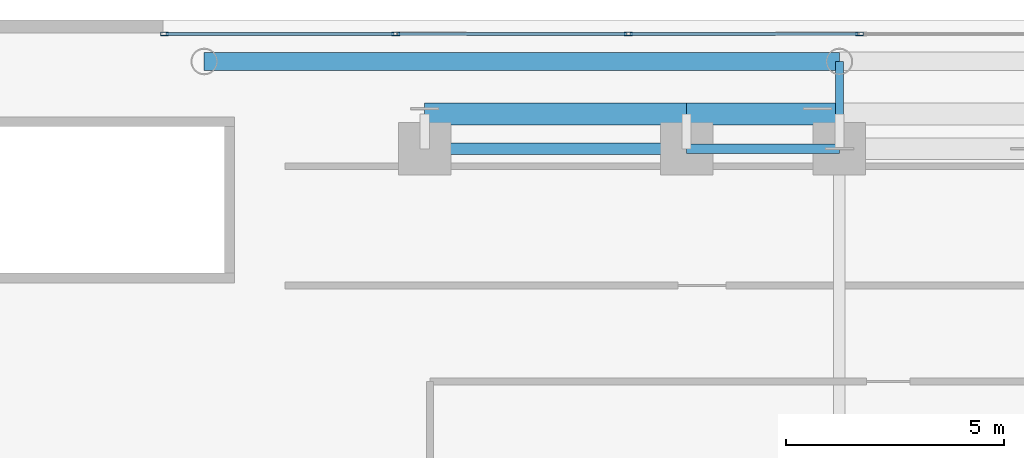
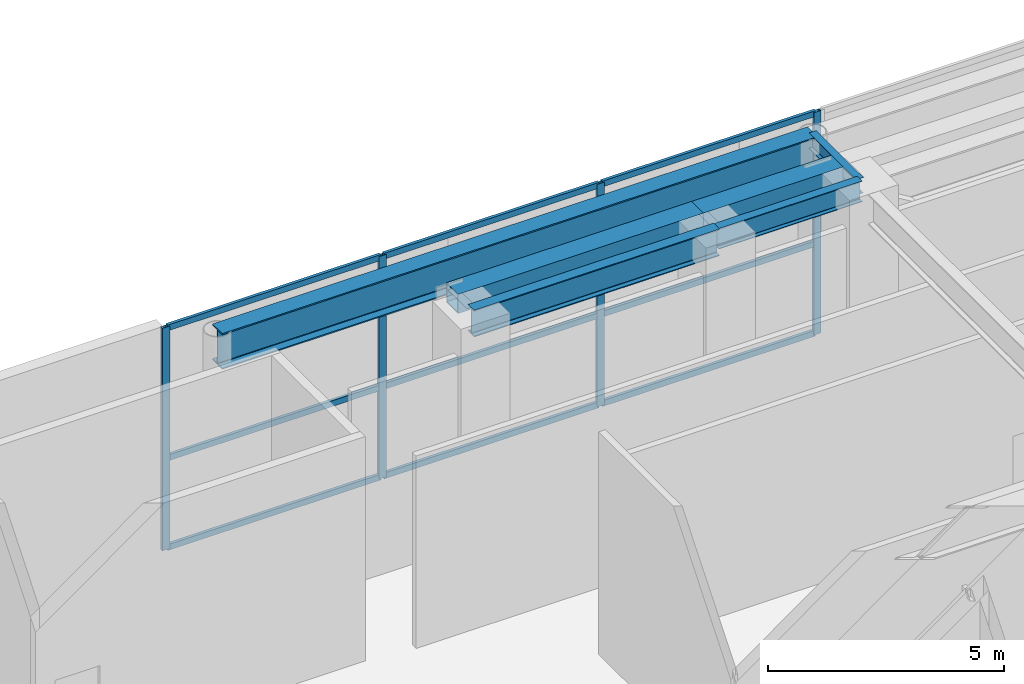
# One storey, part 12 of 29: 13 members, 6 beams, 1 element without a shape of its own.
"""IFC4 building model written with IfcOpenShell, lengths in metres."""

from ifc_helpers import new_model, si_unit, direction, frame, origin, origin_2d, place, context, subcontext, project, spatial, hollow_rectangle, i_section, extrude, source, transform, mapped, material, layer, layer_set, material_profile, profile_set, type_object, element, aggregate, save


model = new_model("IFC4")

# Units and contexts
model_context = context("Model", 3, precision=1e-05, world=origin(), true_north=direction((0.0, 1.0)))
body_context = subcontext(model_context, "Body", "Model", "MODEL_VIEW")
ifc_project = project(units=[si_unit("LENGTHUNIT", "METRE"), si_unit("AREAUNIT", "SQUARE_METRE"), si_unit("VOLUMEUNIT", "CUBIC_METRE"), si_unit("PLANEANGLEUNIT", "RADIAN"), si_unit("MASSUNIT", "GRAM", prefix="KILO")], contexts=[model_context])

# Site, building, storey
site_placement = place(None, origin())
site = spatial("IfcSite", under=ifc_project, at=site_placement, CompositionType="ELEMENT")
building_placement = place(site_placement, origin())
building = spatial("IfcBuilding", under=site, at=building_placement, Name="Ocotamira Hotel", CompositionType="ELEMENT")
storey_placement = place(building_placement, frame((0.0, 0.0, 28.800048828125)))
storey = spatial("IfcBuildingStorey", under=building, at=storey_placement, Name="L06", CompositionType="ELEMENT", Elevation=28.800048828125)

# Beams
ifc_material_1 = material(Name="Steel ASTM A992 Grade 50", Category="steel")
ifc_material_profile_1 = material_profile(ifc_material_1, i_section(OverallWidth=0.41796875, OverallDepth=0.927001953125, WebThickness=0.019287109375, FlangeThickness=0.031982421875, FilletRadius=0.02392578125, at=origin_2d()), Name="W36X231")
ifc_profile_set_1 = profile_set([ifc_material_profile_1], Name="Steel ASTM A992 Grade 50")
beam_type_1 = type_object("IfcBeamType", Name="BM-GIRD-W36X231", PredefinedType="BEAM", material=ifc_profile_set_1)
shared_shape_1 = source(origin(), body_context, "Body", "SweptSolid", [
    extrude(i_section(OverallWidth=0.41796875, OverallDepth=0.927001953125, WebThickness=0.019287109375, FlangeThickness=0.031982421875, FilletRadius=0.02392578125, at=origin_2d()), origin(), (0.0, 0.0, 1.0), 14.550048828125),
])
beam_1_placement = place(storey_placement, frame((8.949951171875, 51.050048828125, 5.286376953125), z_axis=(1.0, 0.0, 0.0), x_axis=(0.0, 1.0, 0.0)))
element("IfcBeam", 1, at=beam_1_placement, inside=storey, type_object=beam_type_1, Name="L06 Girder Y51.05 X8.95-23.5", PredefinedType="BEAM", context=body_context, shape_type="MappedRepresentation", body=[
    mapped(shared_shape_1, transform((0.0, 0.0, 0.0), scale=1.0)),
])
ifc_material_profile_2 = material_profile(ifc_material_1, i_section(OverallWidth=0.256103515625, OverallDepth=0.693115234375, WebThickness=0.014404296875, FlangeThickness=0.023681640625, FilletRadius=0.01611328125, at=origin_2d()), Name="W27X114")
ifc_profile_set_2 = profile_set([ifc_material_profile_2], Name="Steel ASTM A992 Grade 50")
beam_type_2 = type_object("IfcBeamType", Name="BM-PRIM-W27X114", PredefinedType="BEAM", material=ifc_profile_set_2)
shared_shape_2 = source(origin(), body_context, "Body", "SweptSolid", [
    extrude(i_section(OverallWidth=0.256103515625, OverallDepth=0.693115234375, WebThickness=0.014404296875, FlangeThickness=0.023681640625, FilletRadius=0.01611328125, at=origin_2d()), origin(), (0.0, 0.0, 1.0), 6.0),
])
beam_2_placement = place(storey_placement, frame((14.0, 49.050048828125, 5.403564453125), z_axis=(1.0, 0.0, 0.0), x_axis=(0.0, 1.0, 0.0)))
element("IfcBeam", 2, at=beam_2_placement, inside=storey, type_object=beam_type_2, Name="L06 Girder Y49.05 X14-20", PredefinedType="BEAM", context=body_context, shape_type="MappedRepresentation", body=[
    mapped(shared_shape_2, transform((0.0, 0.0, 0.0), scale=1.0)),
])
ifc_material_profile_3 = material_profile(ifc_material_1, i_section(OverallWidth=0.2099609375, OverallDepth=0.537109375, WebThickness=0.010986328125, FlangeThickness=0.017333984375, FilletRadius=0.012939453125, at=origin_2d()), Name="W21X68")
ifc_profile_set_3 = profile_set([ifc_material_profile_3], Name="Steel ASTM A992 Grade 50")
beam_type_3 = type_object("IfcBeamType", Name="BM-SEC-W21X68", PredefinedType="JOIST", material=ifc_profile_set_3)
shared_shape_3 = source(origin(), body_context, "Body", "SweptSolid", [
    extrude(i_section(OverallWidth=0.2099609375, OverallDepth=0.537109375, WebThickness=0.010986328125, FlangeThickness=0.017333984375, FilletRadius=0.012939453125, at=origin_2d()), origin(), (0.0, 0.0, 1.0), 3.5),
])
beam_3_placement = place(storey_placement, frame((20.0, 49.050048828125, 5.4814453125), z_axis=(1.0, 0.0, 0.0), x_axis=(0.0, 1.0, 0.0)))
element("IfcBeam", 3, at=beam_3_placement, inside=storey, type_object=beam_type_3, Name="L06 Girder Y49.05 X20-23.5", PredefinedType="JOIST", context=body_context, shape_type="MappedRepresentation", body=[
    mapped(shared_shape_3, transform((0.0, 0.0, 0.0), scale=1.0)),
])
ifc_material_profile_4 = material_profile(ifc_material_1, i_section(OverallWidth=0.177978515625, OverallDepth=0.403076171875, WebThickness=0.007568359375, FlangeThickness=0.010986328125, FilletRadius=0.010009765625, at=origin_2d()), Name="W16X36")
ifc_profile_set_4 = profile_set([ifc_material_profile_4], Name="Steel ASTM A992 Grade 50")
beam_type_4 = type_object("IfcBeamType", Name="BM-SEC-W16X36", PredefinedType="JOIST", material=ifc_profile_set_4)
shared_shape_4 = source(origin(), body_context, "Body", "SweptSolid", [
    extrude(i_section(OverallWidth=0.177978515625, OverallDepth=0.403076171875, WebThickness=0.007568359375, FlangeThickness=0.010986328125, FilletRadius=0.010009765625, at=origin_2d()), origin(), (0.0, 0.0, 1.0), 2.0),
])
beam_4_placement = place(storey_placement, frame((23.5, 49.050048828125, 5.54833984375), z_axis=(0.0, 1.0, 0.0), x_axis=(-1.0, 0.0, 0.0)))
element("IfcBeam", 4, at=beam_4_placement, inside=storey, type_object=beam_type_4, Name="L06 Beam X23.5 Y49.05-51.05", PredefinedType="JOIST", context=body_context, shape_type="MappedRepresentation", body=[
    mapped(shared_shape_4, transform((0.0, 0.0, 0.0), scale=1.0)),
])
ifc_material_2 = material(Name="Steel ASTM A500 Grade C", Category="steel")
ifc_material_profile_5 = material_profile(ifc_material_2, hollow_rectangle(XDim=0.5, YDim=0.5, WallThickness=0.02001953125, at=origin_2d()), Name="HSS500X500X20")
ifc_profile_set_5 = profile_set([ifc_material_profile_5], Name="Steel ASTM A500 Grade C")
beam_type_5 = type_object("IfcBeamType", Name="BM-SPAN-HSS500", PredefinedType="USERDEFINED", material=ifc_profile_set_5)
shared_shape_5 = source(origin(), body_context, "Body", "SweptSolid", [
    extrude(hollow_rectangle(XDim=0.5, YDim=0.5, WallThickness=0.02001953125, at=origin_2d()), origin(), (0.0, 0.0, 1.0), 6.0),
])
beam_5_placement = place(storey_placement, frame((14.0, 49.85009765625, 5.5), z_axis=(1.0, 0.0, 0.0), x_axis=(0.0, 1.0, 0.0)))
element("IfcBeam", 5, at=beam_5_placement, inside=storey, type_object=beam_type_5, Name="L06 Edge Spandrel N X14-20", ObjectType="SPANDREL", PredefinedType="USERDEFINED", context=body_context, shape_type="MappedRepresentation", body=[
    mapped(shared_shape_5, transform((0.0, 0.0, 0.0), scale=1.0)),
])
shared_shape_6 = source(origin(), body_context, "Body", "SweptSolid", [
    extrude(hollow_rectangle(XDim=0.5, YDim=0.5, WallThickness=0.02001953125, at=origin_2d()), origin(), (0.0, 0.0, 1.0), 3.410888671875),
])
beam_6_placement = place(storey_placement, frame((20.0, 49.85009765625, 5.5), z_axis=(1.0, 0.0, 0.0), x_axis=(0.0, 1.0, 0.0)))
element("IfcBeam", 6, at=beam_6_placement, inside=storey, type_object=beam_type_5, Name="L06 Edge Spandrel N X20-23.411", ObjectType="SPANDREL", PredefinedType="USERDEFINED", context=body_context, shape_type="MappedRepresentation", body=[
    mapped(shared_shape_6, transform((0.0, 0.0, 0.0), scale=1.0)),
])

# Curtain wall, members
ifc_material_3 = material(Name="Anodised pale-metal aluminium and solar glass", Category="aluminium")
ifc_layer = layer(ifc_material_3, 0.239990234375)
ifc_layer_set = layer_set([ifc_layer], Name="Anodised pale-metal aluminium and solar glass")
curtain_wall_type = type_object("IfcCurtainWallType", Name="CW-SYS5-SKY", PredefinedType="NOTDEFINED", material=ifc_layer_set)
curtain_wall_placement = place(storey_placement, origin())
curtain_wall = element("IfcCurtainWall", 7, at=curtain_wall_placement, inside=storey, type_object=curtain_wall_type, Name="L06 Curtain Wall CW-5 CW-L06-N1", PredefinedType="NOTDEFINED")
ifc_material_4 = material(Name="Anodised pale-metal aluminium 6063-T6", Category="aluminium")
ifc_material_profile_6 = material_profile(ifc_material_4, hollow_rectangle(XDim=0.074951171875, YDim=0.14990234375, WallThickness=0.006103515625, at=origin_2d()), Name="HSS150X75X6")
ifc_profile_set_6 = profile_set([ifc_material_profile_6], Name="Anodised pale-metal aluminium 6063-T6")
member_type_1 = type_object("IfcMemberType", Name="CWT-150X75", PredefinedType="USERDEFINED", material=ifc_profile_set_6)
shared_shape_7 = source(origin(), body_context, "Body", "SweptSolid", [
    extrude(hollow_rectangle(XDim=0.074951171875, YDim=0.14990234375, WallThickness=0.006103515625, at=origin_2d()), origin(), (0.0, 0.0, 1.0), 5.213134765625),
])
member_1_placement = place(storey_placement, frame((8.080078125, 51.679931640625, 0.037353515625), z_axis=(1.0, 0.0, 0.0), x_axis=(0.0, 1.0, 0.0)))
member_1 = element("IfcMember", 8, at=member_1_placement, type_object=member_type_1, Name="CW-5 transom 1.1", ObjectType="TRANSOM", PredefinedType="USERDEFINED", context=body_context, shape_type="MappedRepresentation", body=[
    mapped(shared_shape_7, transform((0.0, 0.0, 0.0), scale=1.0)),
])
member_2_placement = place(storey_placement, frame((8.080078125, 51.679931640625, 2.349853515625), z_axis=(1.0, 0.0, 0.0), x_axis=(0.0, 1.0, 0.0)))
member_2 = element("IfcMember", 9, at=member_2_placement, type_object=member_type_1, Name="CW-5 transom 1.2", ObjectType="TRANSOM", PredefinedType="USERDEFINED", context=body_context, shape_type="MappedRepresentation", body=[
    mapped(shared_shape_7, transform((0.0, 0.0, 0.0), scale=1.0)),
])
member_3_placement = place(storey_placement, frame((8.080078125, 51.679931640625, 5.71240234375), z_axis=(1.0, 0.0, 0.0), x_axis=(0.0, 1.0, 0.0)))
member_3 = element("IfcMember", 10, at=member_3_placement, type_object=member_type_1, Name="CW-5 transom 1.3", ObjectType="TRANSOM", PredefinedType="USERDEFINED", context=body_context, shape_type="MappedRepresentation", body=[
    mapped(shared_shape_7, transform((0.0, 0.0, 0.0), scale=1.0)),
])
member_4_placement = place(storey_placement, frame((18.706787109375, 51.679931640625, 0.037353515625), z_axis=(1.0, 0.0, 0.0), x_axis=(0.0, 1.0, 0.0)))
member_4 = element("IfcMember", 11, at=member_4_placement, type_object=member_type_1, Name="CW-5 transom 3.1", ObjectType="TRANSOM", PredefinedType="USERDEFINED", context=body_context, shape_type="MappedRepresentation", body=[
    mapped(shared_shape_7, transform((0.0, 0.0, 0.0), scale=1.0)),
])
member_5_placement = place(storey_placement, frame((18.706787109375, 51.679931640625, 2.349853515625), z_axis=(1.0, 0.0, 0.0), x_axis=(0.0, 1.0, 0.0)))
member_5 = element("IfcMember", 12, at=member_5_placement, type_object=member_type_1, Name="CW-5 transom 3.2", ObjectType="TRANSOM", PredefinedType="USERDEFINED", context=body_context, shape_type="MappedRepresentation", body=[
    mapped(shared_shape_7, transform((0.0, 0.0, 0.0), scale=1.0)),
])
member_6_placement = place(storey_placement, frame((18.706787109375, 51.679931640625, 5.71240234375), z_axis=(1.0, 0.0, 0.0), x_axis=(0.0, 1.0, 0.0)))
member_6 = element("IfcMember", 13, at=member_6_placement, type_object=member_type_1, Name="CW-5 transom 3.3", ObjectType="TRANSOM", PredefinedType="USERDEFINED", context=body_context, shape_type="MappedRepresentation", body=[
    mapped(shared_shape_7, transform((0.0, 0.0, 0.0), scale=1.0)),
])
shared_shape_8 = source(origin(), body_context, "Body", "SweptSolid", [
    extrude(hollow_rectangle(XDim=0.074951171875, YDim=0.14990234375, WallThickness=0.006103515625, at=origin_2d()), origin(), (0.0, 0.0, 1.0), 5.25341796875),
])
member_7_placement = place(storey_placement, frame((13.373291015625, 51.679931640625, 0.037353515625), z_axis=(1.0, 0.0, 0.0), x_axis=(0.0, 1.0, 0.0)))
member_7 = element("IfcMember", 14, at=member_7_placement, type_object=member_type_1, Name="CW-5 transom 2.1", ObjectType="TRANSOM", PredefinedType="USERDEFINED", context=body_context, shape_type="MappedRepresentation", body=[
    mapped(shared_shape_8, transform((0.0, 0.0, 0.0), scale=1.0)),
])
member_8_placement = place(storey_placement, frame((13.373291015625, 51.679931640625, 2.349853515625), z_axis=(1.0, 0.0, 0.0), x_axis=(0.0, 1.0, 0.0)))
member_8 = element("IfcMember", 15, at=member_8_placement, type_object=member_type_1, Name="CW-5 transom 2.2", ObjectType="TRANSOM", PredefinedType="USERDEFINED", context=body_context, shape_type="MappedRepresentation", body=[
    mapped(shared_shape_8, transform((0.0, 0.0, 0.0), scale=1.0)),
])
member_9_placement = place(storey_placement, frame((13.373291015625, 51.679931640625, 5.71240234375), z_axis=(1.0, 0.0, 0.0), x_axis=(0.0, 1.0, 0.0)))
member_9 = element("IfcMember", 16, at=member_9_placement, type_object=member_type_1, Name="CW-5 transom 2.3", ObjectType="TRANSOM", PredefinedType="USERDEFINED", context=body_context, shape_type="MappedRepresentation", body=[
    mapped(shared_shape_8, transform((0.0, 0.0, 0.0), scale=1.0)),
])
ifc_material_profile_7 = material_profile(ifc_material_4, hollow_rectangle(XDim=0.080078125, YDim=0.179931640625, WallThickness=0.006103515625, at=origin_2d()), Name="HSS180X80X6")
ifc_profile_set_7 = profile_set([ifc_material_profile_7], Name="Anodised pale-metal aluminium 6063-T6")
member_type_2 = type_object("IfcMemberType", Name="CWM-180X75", PredefinedType="MULLION", material=ifc_profile_set_7)
shared_shape_9 = source(origin(), body_context, "Body", "SweptSolid", [
    extrude(hollow_rectangle(XDim=0.080078125, YDim=0.179931640625, WallThickness=0.006103515625, at=origin_2d()), origin(), (0.0, 0.0, 1.0), 5.75),
])
member_10_placement = place(storey_placement, frame((8.0400390625, 51.679931640625, 0.0), z_axis=(0.0, 0.0, 1.0), x_axis=(0.0, 1.0, 0.0)))
member_10 = element("IfcMember", 17, at=member_10_placement, type_object=member_type_2, Name="CW-5 mullion 1", PredefinedType="MULLION", context=body_context, shape_type="MappedRepresentation", body=[
    mapped(shared_shape_9, transform((0.0, 0.0, 0.0), scale=1.0)),
])
member_11_placement = place(storey_placement, frame((13.333251953125, 51.679931640625, 0.0), z_axis=(0.0, 0.0, 1.0), x_axis=(0.0, 1.0, 0.0)))
member_11 = element("IfcMember", 18, at=member_11_placement, type_object=member_type_2, Name="CW-5 mullion 2", PredefinedType="MULLION", context=body_context, shape_type="MappedRepresentation", body=[
    mapped(shared_shape_9, transform((0.0, 0.0, 0.0), scale=1.0)),
])
member_12_placement = place(storey_placement, frame((18.666748046875, 51.679931640625, 0.0), z_axis=(0.0, 0.0, 1.0), x_axis=(0.0, 1.0, 0.0)))
member_12 = element("IfcMember", 19, at=member_12_placement, type_object=member_type_2, Name="CW-5 mullion 3", PredefinedType="MULLION", context=body_context, shape_type="MappedRepresentation", body=[
    mapped(shared_shape_9, transform((0.0, 0.0, 0.0), scale=1.0)),
])
member_13_placement = place(storey_placement, frame((23.9599609375, 51.679931640625, 0.0), z_axis=(0.0, 0.0, 1.0), x_axis=(0.0, 1.0, 0.0)))
member_13 = element("IfcMember", 20, at=member_13_placement, type_object=member_type_2, Name="CW-5 mullion 4", PredefinedType="MULLION", context=body_context, shape_type="MappedRepresentation", body=[
    mapped(shared_shape_9, transform((0.0, 0.0, 0.0), scale=1.0)),
])
aggregate(curtain_wall, [member_10, member_11, member_12, member_13, member_1, member_2, member_3, member_7, member_8, member_9, member_4, member_5, member_6])

save(model, "model.ifc")
